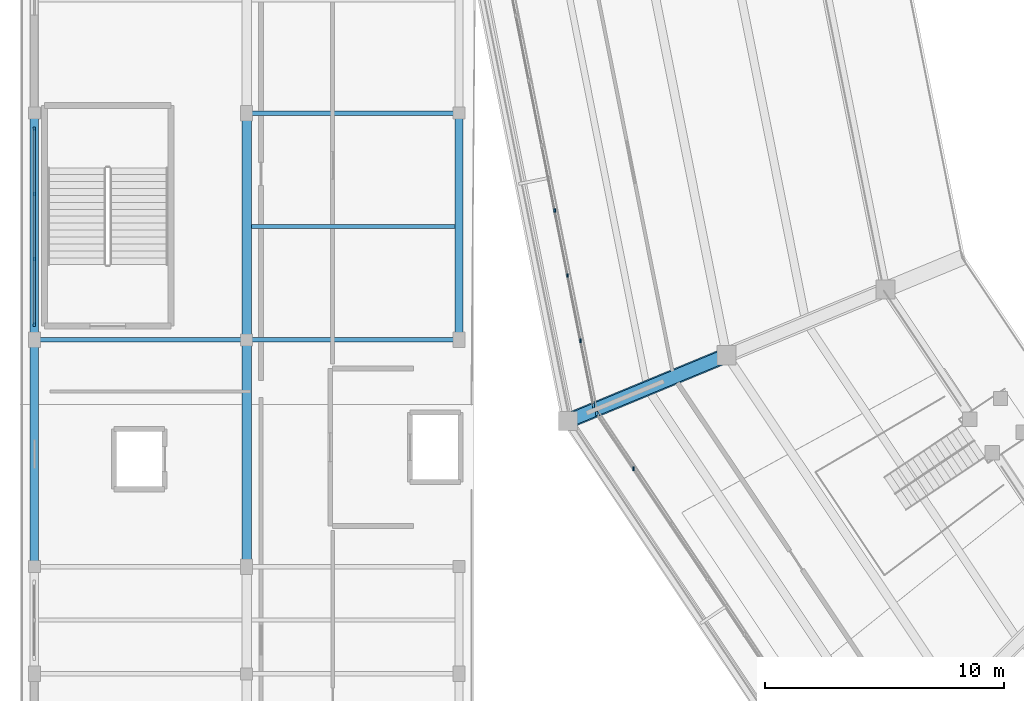
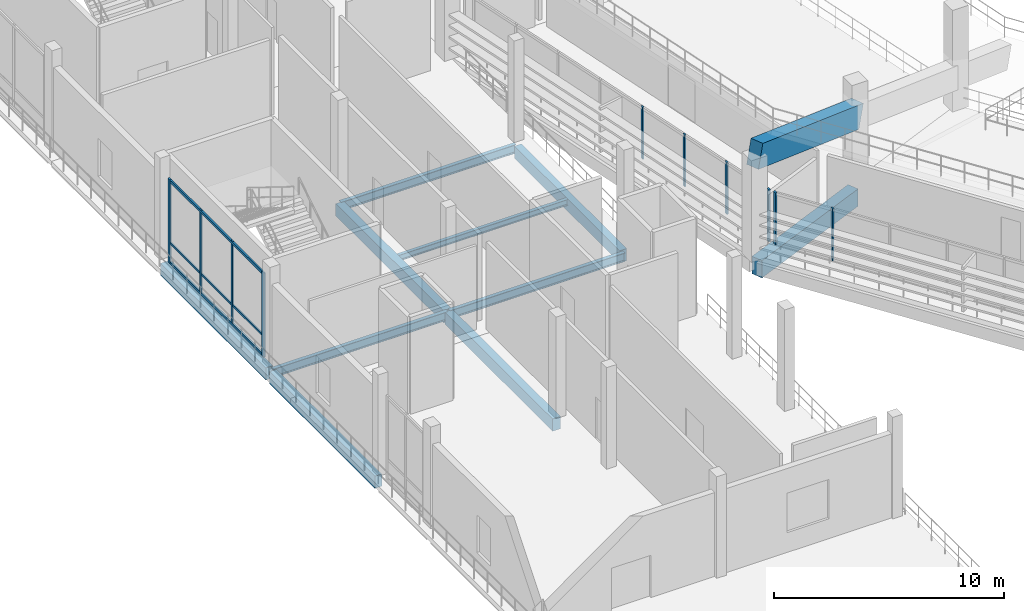
# One storey, part 9 of 96: 13 members, 11 beams, 3 elements without a shape of their own.
"""IFC4 building model written with IfcOpenShell, lengths in metres."""

from ifc_helpers import new_model, si_unit, direction, frame, origin, origin_2d, place, context, subcontext, project, spatial, rectangle, i_section, extrude, material, material_profile, profile_set, type_object, element, aggregate, save


model = new_model("IFC4")

# Units and contexts
model_context = context("Model", 3, precision=1e-05, world=origin(), true_north=direction((0.0, 1.0)))
body_context = subcontext(model_context, "Body", "Model", "MODEL_VIEW")
ifc_project = project(units=[si_unit("LENGTHUNIT", "METRE"), si_unit("AREAUNIT", "SQUARE_METRE"), si_unit("VOLUMEUNIT", "CUBIC_METRE"), si_unit("PLANEANGLEUNIT", "RADIAN"), si_unit("MASSUNIT", "GRAM", prefix="KILO")], contexts=[model_context])

# Site, building, storey
site_placement = place(None, origin())
site = spatial("IfcSite", under=ifc_project, at=site_placement, CompositionType="ELEMENT")
building_placement = place(site_placement, origin())
building = spatial("IfcBuilding", under=site, at=building_placement, Name="Candeia Ridge Stadium", CompositionType="ELEMENT")
storey_placement = place(building_placement, frame((0.0, 0.0, 21.60009765625)))
storey = spatial("IfcBuildingStorey", under=building, at=storey_placement, Name="L04", CompositionType="ELEMENT", Elevation=21.60009765625)

# Curtain wall, member
ifc_material_1 = material(Name="Aluminium Anodized Warm Bronze", Category="aluminium")
curtain_wall_type_1 = type_object("IfcCurtainWallType", Name="Concourse Recessed Unitised Curtain Wall", PredefinedType="NOTDEFINED", material=ifc_material_1)
curtain_wall_1_placement = place(storey_placement, origin())
curtain_wall_1 = element("IfcCurtainWall", 1, at=curtain_wall_1_placement, inside=storey, type_object=curtain_wall_type_1, Name="Unitised curtain wall CW-BWL-L04-14", PredefinedType="NOTDEFINED")
ifc_material_profile_1 = material_profile(ifc_material_1, rectangle(XDim=0.090087890625, YDim=0.179931640625, at=origin_2d()), Name="CWM-90x180", Category="aluminium")
ifc_profile_set_1 = profile_set([ifc_material_profile_1], Name="Aluminium Anodized Warm Bronze")
member_type_1 = type_object("IfcMemberType", Name="Curtain Wall Primary Mullion 90x180", PredefinedType="MULLION", material=ifc_profile_set_1)
member_1_placement = place(storey_placement, frame((24.03173828125, 51.736083984375, 0.0), z_axis=(0.0, 0.0, 1.0), x_axis=(1.0, 0.0, 0.0)))
member_1 = element("IfcMember", 2, at=member_1_placement, type_object=member_type_1, Name="Curtain wall mullion CW-BWL-L04-14-M7", PredefinedType="MULLION", context=body_context, shape_type="SweptSolid", body=[
    extrude(rectangle(XDim=0.090087890625, YDim=0.179931640625, at=origin_2d()), origin(), (0.0, 0.0, 1.0), 2.772216796875),
])

curtain_wall_2_placement = place(storey_placement, origin())
curtain_wall_2 = element("IfcCurtainWall", 3, at=curtain_wall_2_placement, inside=storey, type_object=curtain_wall_type_1, Name="Unitised curtain wall CW-BWL-L04-15", PredefinedType="NOTDEFINED")
member_2_placement = place(storey_placement, frame((24.1669921875, 51.409912109375, 0.0), z_axis=(0.0, 0.0, 1.0), x_axis=(1.0, 0.0, 0.0)))
member_2 = element("IfcMember", 4, at=member_2_placement, type_object=member_type_1, Name="Curtain wall mullion CW-BWL-L04-15-M0", PredefinedType="MULLION", context=body_context, shape_type="SweptSolid", body=[
    extrude(rectangle(XDim=0.090087890625, YDim=0.179931640625, at=origin_2d()), origin(), (0.0, 0.0, 1.0), 2.772216796875),
])

# Curtain wall, members
curtain_wall_type_2 = type_object("IfcCurtainWallType", Name="West Pavilion Hospitality Curtain Wall", PredefinedType="NOTDEFINED", material=ifc_material_1)
curtain_wall_3_placement = place(storey_placement, origin())
curtain_wall_3 = element("IfcCurtainWall", 5, at=curtain_wall_3_placement, inside=storey, type_object=curtain_wall_type_2, Name="Unitised curtain wall CW-WNG-L04-094", PredefinedType="NOTDEFINED")
member_3_placement = place(storey_placement, frame((0.60009765625, 55.159912109375, 0.0), z_axis=(0.0, 0.0, 1.0), x_axis=(1.0, 0.0, 0.0)))
member_3 = element("IfcMember", 6, at=member_3_placement, type_object=member_type_1, Name="Curtain wall mullion CW-WNG-L04-094-M0", PredefinedType="MULLION", context=body_context, shape_type="SweptSolid", body=[
    extrude(rectangle(XDim=0.090087890625, YDim=0.179931640625, at=origin_2d()), origin(), (0.0, 0.0, 1.0), 4.48486328125),
])
member_4_placement = place(storey_placement, frame((0.60009765625, 63.340087890625, 0.0), z_axis=(0.0, 0.0, 1.0), x_axis=(1.0, 0.0, 0.0)))
member_4 = element("IfcMember", 7, at=member_4_placement, type_object=member_type_1, Name="Curtain wall mullion CW-WNG-L04-094-M3", PredefinedType="MULLION", context=body_context, shape_type="SweptSolid", body=[
    extrude(rectangle(XDim=0.090087890625, YDim=0.179931640625, at=origin_2d()), origin(), (0.0, 0.0, 1.0), 4.48486328125),
])

# Member
ifc_material_profile_2 = material_profile(ifc_material_1, rectangle(XDim=0.074951171875, YDim=0.14990234375, at=origin_2d()), Name="CWM-75x150", Category="aluminium")
ifc_profile_set_2 = profile_set([ifc_material_profile_2], Name="Aluminium Anodized Warm Bronze")
member_type_2 = type_object("IfcMemberType", Name="Curtain Wall Secondary Mullion 75x150", PredefinedType="MULLION", material=ifc_profile_set_2)
member_5_placement = place(storey_placement, frame((22.404541015625, 59.91650390625, 0.0), z_axis=(0.0, 0.0, 1.0), x_axis=(1.0, 0.0, 0.0)))
member_5 = element("IfcMember", 8, at=member_5_placement, type_object=member_type_2, Name="Curtain wall mullion CW-BWL-L04-14-M4", PredefinedType="MULLION", context=body_context, shape_type="SweptSolid", body=[
    extrude(rectangle(XDim=0.074951171875, YDim=0.14990234375, at=origin_2d()), origin(), (0.0, 0.0, 1.0), 2.772216796875),
])

member_6_placement = place(storey_placement, frame((22.947021484375, 57.189697265625, 0.0), z_axis=(0.0, 0.0, 1.0), x_axis=(1.0, 0.0, 0.0)))
member_6 = element("IfcMember", 9, at=member_6_placement, type_object=member_type_2, Name="Curtain wall mullion CW-BWL-L04-14-M5", PredefinedType="MULLION", context=body_context, shape_type="SweptSolid", body=[
    extrude(rectangle(XDim=0.074951171875, YDim=0.14990234375, at=origin_2d()), origin(), (0.0, 0.0, 1.0), 2.772216796875),
])

member_7_placement = place(storey_placement, frame((23.489501953125, 54.462890625, 0.0), z_axis=(0.0, 0.0, 1.0), x_axis=(1.0, 0.0, 0.0)))
member_7 = element("IfcMember", 10, at=member_7_placement, type_object=member_type_2, Name="Curtain wall mullion CW-BWL-L04-14-M6", PredefinedType="MULLION", context=body_context, shape_type="SweptSolid", body=[
    extrude(rectangle(XDim=0.074951171875, YDim=0.14990234375, at=origin_2d()), origin(), (0.0, 0.0, 1.0), 2.772216796875),
])

aggregate(curtain_wall_1, [member_5, member_6, member_7, member_1])

member_8_placement = place(storey_placement, frame((25.71142578125, 49.098388671875, 0.0), z_axis=(0.0, 0.0, 1.0), x_axis=(1.0, 0.0, 0.0)))
member_8 = element("IfcMember", 11, at=member_8_placement, type_object=member_type_2, Name="Curtain wall mullion CW-BWL-L04-15-M1", PredefinedType="MULLION", context=body_context, shape_type="SweptSolid", body=[
    extrude(rectangle(XDim=0.074951171875, YDim=0.14990234375, at=origin_2d()), origin(), (0.0, 0.0, 1.0), 2.772216796875),
])

aggregate(curtain_wall_2, [member_2, member_8])

member_9_placement = place(storey_placement, frame((0.60009765625, 57.88671875, 0.0), z_axis=(0.0, 0.0, 1.0), x_axis=(1.0, 0.0, 0.0)))
member_9 = element("IfcMember", 12, at=member_9_placement, type_object=member_type_2, Name="Curtain wall mullion CW-WNG-L04-094-M1", PredefinedType="MULLION", context=body_context, shape_type="SweptSolid", body=[
    extrude(rectangle(XDim=0.074951171875, YDim=0.14990234375, at=origin_2d()), origin(), (0.0, 0.0, 1.0), 4.48486328125),
])

member_10_placement = place(storey_placement, frame((0.60009765625, 60.61328125, 0.0), z_axis=(0.0, 0.0, 1.0), x_axis=(1.0, 0.0, 0.0)))
member_10 = element("IfcMember", 13, at=member_10_placement, type_object=member_type_2, Name="Curtain wall mullion CW-WNG-L04-094-M2", PredefinedType="MULLION", context=body_context, shape_type="SweptSolid", body=[
    extrude(rectangle(XDim=0.074951171875, YDim=0.14990234375, at=origin_2d()), origin(), (0.0, 0.0, 1.0), 4.48486328125),
])

ifc_material_profile_3 = material_profile(ifc_material_1, rectangle(XDim=0.074951171875, YDim=0.110107421875, at=origin_2d()), Name="CWT-75x110", Category="aluminium")
ifc_profile_set_3 = profile_set([ifc_material_profile_3], Name="Aluminium Anodized Warm Bronze")
member_type_3 = type_object("IfcMemberType", Name="Curtain Wall Secondary Transom 75x110", PredefinedType="USERDEFINED", material=ifc_profile_set_3)
member_11_placement = place(storey_placement, frame((0.60009765625, 55.159912109375, 1.099853515625), z_axis=(0.0, 1.0, 0.0), x_axis=(-1.0, 0.0, 0.0)))
member_11 = element("IfcMember", 14, at=member_11_placement, type_object=member_type_3, Name="Curtain wall transom CW-WNG-L04-094-T1", ObjectType="TRANSOM", PredefinedType="USERDEFINED", context=body_context, shape_type="SweptSolid", body=[
    extrude(rectangle(XDim=0.074951171875, YDim=0.110107421875, at=origin_2d()), origin(), (0.0, 0.0, 1.0), 8.18017578125),
])

ifc_material_profile_4 = material_profile(ifc_material_1, rectangle(XDim=0.090087890625, YDim=0.139892578125, at=origin_2d()), Name="CWT-90x140", Category="aluminium")
ifc_profile_set_4 = profile_set([ifc_material_profile_4], Name="Aluminium Anodized Warm Bronze")
member_type_4 = type_object("IfcMemberType", Name="Curtain Wall Transom 90x140", PredefinedType="USERDEFINED", material=ifc_profile_set_4)
member_12_placement = place(storey_placement, frame((0.60009765625, 55.159912109375, 0.06982421875), z_axis=(0.0, 1.0, 0.0), x_axis=(-1.0, 0.0, 0.0)))
member_12 = element("IfcMember", 15, at=member_12_placement, type_object=member_type_4, Name="Curtain wall transom CW-WNG-L04-094-T0", ObjectType="TRANSOM", PredefinedType="USERDEFINED", context=body_context, shape_type="SweptSolid", body=[
    extrude(rectangle(XDim=0.090087890625, YDim=0.139892578125, at=origin_2d()), origin(), (0.0, 0.0, 1.0), 8.18017578125),
])

member_13_placement = place(storey_placement, frame((0.60009765625, 55.159912109375, 4.414794921875), z_axis=(0.0, 1.0, 0.0), x_axis=(-1.0, 0.0, 0.0)))
member_13 = element("IfcMember", 16, at=member_13_placement, type_object=member_type_4, Name="Curtain wall transom CW-WNG-L04-094-T2", ObjectType="TRANSOM", PredefinedType="USERDEFINED", context=body_context, shape_type="SweptSolid", body=[
    extrude(rectangle(XDim=0.090087890625, YDim=0.139892578125, at=origin_2d()), origin(), (0.0, 0.0, 1.0), 8.18017578125),
])

aggregate(curtain_wall_3, [member_3, member_9, member_10, member_4, member_12, member_11, member_13])

# Beams
ifc_material_2 = material(Name="Concrete C45/55", Category="concrete")
ifc_material_profile_5 = material_profile(ifc_material_2, rectangle(XDim=0.550048828125, YDim=0.919921875, at=origin_2d()), Name="RC550x920", Category="concrete")
ifc_profile_set_5 = profile_set([ifc_material_profile_5], Name="Concrete C45/55")
beam_type_1 = type_object("IfcBeamType", Name="Frame Girder RC550x920", PredefinedType="BEAM", material=ifc_profile_set_5)
beam_1_placement = place(storey_placement, frame((29.46240234375, 53.79443359375, -0.72021484375), z_axis=(-0.923880161031, -0.382681914982, 0.0), x_axis=(0.382681914982, -0.923880161031, 0.0)))
element("IfcBeam", 17, at=beam_1_placement, inside=storey, type_object=beam_type_1, Name="Bowl radial girder BM-L04-0752", PredefinedType="BEAM", context=body_context, shape_type="SweptSolid", body=[
    extrude(rectangle(XDim=0.550048828125, YDim=0.919921875, at=origin_2d()), origin(), (0.0, 0.0, 1.0), 6.8798828125),
])
ifc_material_3 = material(Name="Steel ASTM A572 Grade 50", Category="steel")
ifc_material_profile_6 = material_profile(ifc_material_3, i_section(OverallWidth=0.1669921875, OverallDepth=0.31689453125, WebThickness=0.007568359375, FlangeThickness=0.01318359375, FilletRadius=0.011962890625, at=origin_2d()), Name="W310x52", Category="steel")
ifc_profile_set_6 = profile_set([ifc_material_profile_6], Name="Steel ASTM A572 Grade 50")
beam_type_2 = type_object("IfcBeamType", Name="Pavilion Secondary Joist W310x52", PredefinedType="JOIST", material=ifc_profile_set_6)
beam_2_placement = place(storey_placement, frame((9.699462890625, 59.25, -0.418701171875), z_axis=(1.0, 0.0, 0.0), x_axis=(0.0, 1.0, 0.0)))
element("IfcBeam", 18, at=beam_2_placement, inside=storey, type_object=beam_type_2, Name="Wing secondary joist BM-L04-1337", PredefinedType="JOIST", context=body_context, shape_type="SweptSolid", body=[
    extrude(i_section(OverallWidth=0.1669921875, OverallDepth=0.31689453125, WebThickness=0.007568359375, FlangeThickness=0.01318359375, FilletRadius=0.011962890625, at=origin_2d()), origin(), (0.0, 0.0, 1.0), 8.526123046875),
])
ifc_material_profile_7 = material_profile(ifc_material_3, i_section(OverallWidth=0.18994140625, OverallDepth=0.45703125, WebThickness=0.009033203125, FlangeThickness=0.014404296875, FilletRadius=0.012939453125, at=origin_2d()), Name="W460x74", Category="steel")
ifc_profile_set_7 = profile_set([ifc_material_profile_7], Name="Steel ASTM A572 Grade 50")
beam_type_3 = type_object("IfcBeamType", Name="Pavilion Steel Girder W460x74", PredefinedType="BEAM", material=ifc_profile_set_7)
for number, where, z_axis, x_axis, name in (
    (19, (0.64990234375, 54.5, -0.488525390625), (1.0, 0.0, 0.0), (0.0, 1.0, 0.0), "Structural girder BM-L04-1318"),
    (20, (9.550048828125, 54.5, -0.488525390625), (1.0, 0.0, 0.0), (0.0, 1.0, 0.0), "Structural girder BM-L04-1336"),
    (21, (9.550048828125, 64.0, -0.488525390625), (1.0, 0.0, 0.0), (0.0, 1.0, 0.0), "Structural girder BM-L04-1338"),
):
    element("IfcBeam", number, at=place(storey_placement, frame(where, z_axis=z_axis, x_axis=x_axis)), inside=storey, type_object=beam_type_3, Name=name, PredefinedType="BEAM", context=body_context, shape_type="SweptSolid", body=[
        extrude(i_section(OverallWidth=0.18994140625, OverallDepth=0.45703125, WebThickness=0.009033203125, FlangeThickness=0.014404296875, FilletRadius=0.012939453125, at=origin_2d()), origin(), (0.0, 0.0, 1.0), 8.800048828125),
    ])
ifc_material_4 = material(Name="Concrete C40/50", Category="concrete")
ifc_material_profile_8 = material_profile(ifc_material_4, rectangle(XDim=0.35009765625, YDim=0.64990234375, at=origin_2d()), Name="RC350x650", Category="concrete")
ifc_profile_set_8 = profile_set([ifc_material_profile_8], Name="Concrete C40/50")
beam_type_4 = type_object("IfcBeamType", Name="Spandrel Beam RC350x650", PredefinedType="SPANDREL", material=ifc_profile_set_8)
for number, where, z_axis, x_axis, name in (
    (22, (0.60009765625, 45.159912109375, -0.585205078125), (0.0, 1.0, 0.0), (-1.0, 0.0, 0.0), "Structural girder BM-L04-1276"),
    (23, (0.60009765625, 54.659912109375, -0.585205078125), (0.0, 1.0, 0.0), (-1.0, 0.0, 0.0), "Structural girder BM-L04-1277"),
    (24, (18.39990234375, 54.659912109375, -0.585205078125), (0.0, 1.0, 0.0), (-1.0, 0.0, 0.0), "Structural girder BM-L04-1302"),
):
    element("IfcBeam", number, at=place(storey_placement, frame(where, z_axis=z_axis, x_axis=x_axis)), inside=storey, type_object=beam_type_4, Name=name, PredefinedType="SPANDREL", context=body_context, shape_type="SweptSolid", body=[
        extrude(rectangle(XDim=0.35009765625, YDim=0.64990234375, at=origin_2d()), origin(), (0.0, 0.0, 1.0), 9.18017578125),
    ])
ifc_material_profile_9 = material_profile(ifc_material_2, rectangle(XDim=0.64990234375, YDim=1.25, at=origin_2d()), Name="RC650x1250", Category="concrete")
ifc_profile_set_9 = profile_set([ifc_material_profile_9], Name="Concrete C45/55")
beam_type_5 = type_object("IfcBeamType", Name="Stand Raker Beam RC650x1250", PredefinedType="USERDEFINED", material=ifc_profile_set_9)
beam_3_placement = place(storey_placement, frame((29.610107421875, 53.855712890625, 3.531982421875), z_axis=(-0.894373489566, -0.370472700699, 0.250691123094), x_axis=(0.382693194178, -0.923875488976, 0.0)))
element("IfcBeam", 25, at=beam_3_placement, inside=storey, type_object=beam_type_5, Name="Stand T3 outer raker beam 16", ObjectType="RAKER", PredefinedType="USERDEFINED", context=body_context, shape_type="SweptSolid", body=[
    extrude(rectangle(XDim=0.64990234375, YDim=1.25, at=origin_2d()), origin(), (0.0, 0.0, 1.0), 7.4375),
])
ifc_material_profile_10 = material_profile(ifc_material_4, rectangle(XDim=0.39990234375, YDim=0.64990234375, at=origin_2d()), Name="RC400x650", Category="concrete")
ifc_profile_set_10 = profile_set([ifc_material_profile_10], Name="Concrete C40/50")
beam_type_6 = type_object("IfcBeamType", Name="Wing Primary Girder RC400x650", PredefinedType="BEAM", material=ifc_profile_set_10)
for number, where, z_axis, x_axis, name in (
    (26, (9.5, 45.050048828125, -0.585205078125), (0.0, 1.0, 0.0), (-1.0, 0.0, 0.0), "Structural girder BM-L04-1290"),
    (27, (9.5, 54.550048828125, -0.585205078125), (0.0, 1.0, 0.0), (-1.0, 0.0, 0.0), "Structural girder BM-L04-1291"),
):
    element("IfcBeam", number, at=place(storey_placement, frame(where, z_axis=z_axis, x_axis=x_axis)), inside=storey, type_object=beam_type_6, Name=name, PredefinedType="BEAM", context=body_context, shape_type="SweptSolid", body=[
        extrude(rectangle(XDim=0.39990234375, YDim=0.64990234375, at=origin_2d()), origin(), (0.0, 0.0, 1.0), 9.39990234375),
    ])

save(model, "model.ifc")
